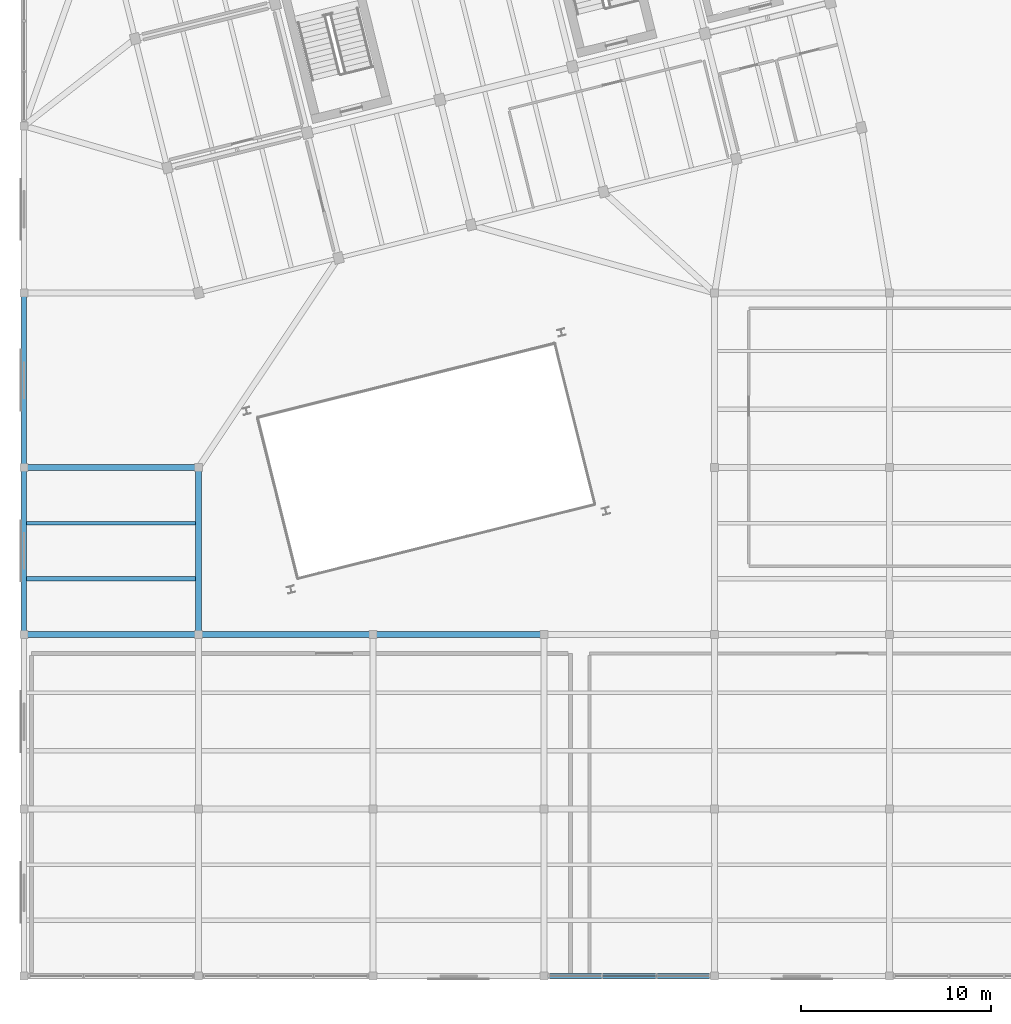
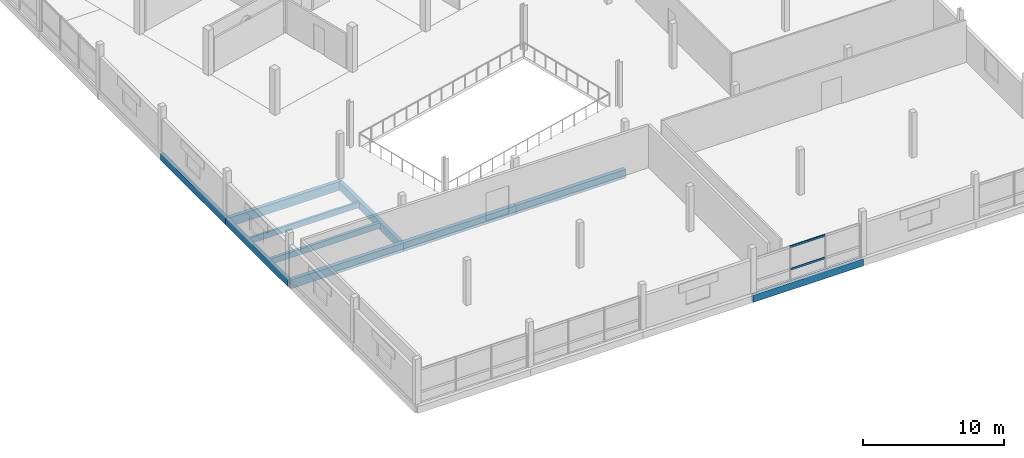
# One storey, part 9 of 47: 10 beams, 2 members, 1 element without a shape of its own.
"""IFC4 building model written with IfcOpenShell, lengths in metres."""

from ifc_helpers import new_model, si_unit, direction, frame, origin, origin_2d, place, context, subcontext, project, spatial, rectangle, hollow_rectangle, extrude, material, layer, layer_set, material_profile, profile_set, type_object, element, aggregate, save


model = new_model("IFC4")

# Units and contexts
model_context = context("Model", 3, precision=1e-05, world=origin(), true_north=direction((0.0, 1.0)))
body_context = subcontext(model_context, "Body", "Model", "MODEL_VIEW")
ifc_project = project(units=[si_unit("LENGTHUNIT", "METRE"), si_unit("AREAUNIT", "SQUARE_METRE"), si_unit("VOLUMEUNIT", "CUBIC_METRE"), si_unit("PLANEANGLEUNIT", "RADIAN"), si_unit("MASSUNIT", "GRAM", prefix="KILO")], contexts=[model_context])

# Site, building, storey
site_placement = place(None, origin())
site = spatial("IfcSite", under=ifc_project, at=site_placement, CompositionType="ELEMENT")
building_placement = place(site_placement, origin())
building = spatial("IfcBuilding", under=site, at=building_placement, Name="Meriwether Solvik Hall", CompositionType="ELEMENT")
storey_placement = place(building_placement, frame((0.0, 0.0, 18.300048828125)))
storey = spatial("IfcBuildingStorey", under=building, at=storey_placement, Name="L04", CompositionType="ELEMENT", Elevation=18.300048828125)

# Beams
ifc_material_1 = material(Name="Glulam Douglas-Fir 24F-V8 GL28h", Category="wood")
ifc_material_profile_1 = material_profile(ifc_material_1, rectangle(XDim=0.27294921875, YDim=0.610107421875, at=origin_2d()), Name="GLB-273X610")
ifc_profile_set_1 = profile_set([ifc_material_profile_1], Name="Glulam Douglas-Fir 24F-V8 GL28h")
beam_type_1 = type_object("IfcBeamType", Name="BM-GL-273X610", PredefinedType="SPANDREL", material=ifc_profile_set_1)
beam_1_placement = place(storey_placement, frame((86.800048828125, 5.199951171875, -0.550048828125), z_axis=(1.0, 0.0, 0.0), x_axis=(0.0, 1.0, 0.0)))
element("IfcBeam", 1, at=beam_1_placement, inside=storey, type_object=beam_type_1, Name="Podium Girder A:10-11 (L04)", PredefinedType="SPANDREL", context=body_context, shape_type="SweptSolid", body=[
    extrude(rectangle(XDim=0.27294921875, YDim=0.610107421875, at=origin_2d()), origin(), (0.0, 0.0, 1.0), 9.0),
])
beam_2_placement = place(storey_placement, frame((59.39990234375, 23.199951171875, -0.550048828125), z_axis=(0.0, 1.0, 0.0), x_axis=(-1.0, 0.0, 0.0)))
element("IfcBeam", 2, at=beam_2_placement, inside=storey, type_object=beam_type_1, Name="Podium Girder 7:C-D (L04)", PredefinedType="SPANDREL", context=body_context, shape_type="SweptSolid", body=[
    extrude(rectangle(XDim=0.27294921875, YDim=0.610107421875, at=origin_2d()), origin(), (0.0, 0.0, 1.0), 8.800048828125),
])
beam_3_placement = place(storey_placement, frame((59.39990234375, 32.0, -0.550048828125), z_axis=(0.0, 1.0, 0.0), x_axis=(-1.0, 0.0, 0.0)))
element("IfcBeam", 3, at=beam_3_placement, inside=storey, type_object=beam_type_1, Name="Podium Girder 7:D-E (L04)", PredefinedType="SPANDREL", context=body_context, shape_type="SweptSolid", body=[
    extrude(rectangle(XDim=0.27294921875, YDim=0.610107421875, at=origin_2d()), origin(), (0.0, 0.0, 1.0), 9.199951171875),
])
ifc_material_2 = material(Name="Glulam Douglas-Fir 24F-V8 GL28h", Category="wood")
ifc_material_profile_2 = material_profile(ifc_material_2, rectangle(XDim=0.31494140625, YDim=0.68505859375, at=origin_2d()), Name="GLB-315X685")
ifc_profile_set_2 = profile_set([ifc_material_profile_2], Name="Glulam Douglas-Fir 24F-V8 GL28h")
beam_type_2 = type_object("IfcBeamType", Name="BM-GL-315X685", PredefinedType="BEAM", material=ifc_profile_set_2)
beam_4_placement = place(storey_placement, frame((68.60009765625, 23.199951171875, -0.587646484375), z_axis=(0.0, 1.0, 0.0), x_axis=(-1.0, 0.0, 0.0)))
element("IfcBeam", 4, at=beam_4_placement, inside=storey, type_object=beam_type_2, Name="Podium Girder 8:C-D (L04)", PredefinedType="BEAM", context=body_context, shape_type="SweptSolid", body=[
    extrude(rectangle(XDim=0.31494140625, YDim=0.68505859375, at=origin_2d()), origin(), (0.0, 0.0, 1.0), 8.800048828125),
])
ifc_material_3 = material(Name="Glulam Douglas-Fir 24F-V8 GL28h", Category="wood")
ifc_material_profile_3 = material_profile(ifc_material_3, rectangle(XDim=0.31494140625, YDim=0.760009765625, at=origin_2d()), Name="GLB-315X760")
ifc_profile_set_3 = profile_set([ifc_material_profile_3], Name="Glulam Douglas-Fir 24F-V8 GL28h")
beam_type_3 = type_object("IfcBeamType", Name="BM-GL-315X760", PredefinedType="BEAM", material=ifc_profile_set_3)
beam_5_placement = place(storey_placement, frame((59.39990234375, 23.199951171875, -0.625), z_axis=(1.0, 0.0, 0.0), x_axis=(0.0, 1.0, 0.0)))
element("IfcBeam", 5, at=beam_5_placement, inside=storey, type_object=beam_type_3, Name="Podium Girder C:7-8 (L04)", PredefinedType="BEAM", context=body_context, shape_type="SweptSolid", body=[
    extrude(rectangle(XDim=0.31494140625, YDim=0.760009765625, at=origin_2d()), origin(), (0.0, 0.0, 1.0), 9.2001953125),
])
beam_6_placement = place(storey_placement, frame((68.60009765625, 23.199951171875, -0.625), z_axis=(1.0, 0.0, 0.0), x_axis=(0.0, 1.0, 0.0)))
element("IfcBeam", 6, at=beam_6_placement, inside=storey, type_object=beam_type_3, Name="Podium Girder C:8-9 (L04)", PredefinedType="BEAM", context=body_context, shape_type="SweptSolid", body=[
    extrude(rectangle(XDim=0.31494140625, YDim=0.760009765625, at=origin_2d()), origin(), (0.0, 0.0, 1.0), 9.199951171875),
])
beam_7_placement = place(storey_placement, frame((77.800048828125, 23.199951171875, -0.625), z_axis=(1.0, 0.0, 0.0), x_axis=(0.0, 1.0, 0.0)))
element("IfcBeam", 7, at=beam_7_placement, inside=storey, type_object=beam_type_3, Name="Podium Girder C:9-10 (L04)", PredefinedType="BEAM", context=body_context, shape_type="SweptSolid", body=[
    extrude(rectangle(XDim=0.31494140625, YDim=0.760009765625, at=origin_2d()), origin(), (0.0, 0.0, 1.0), 9.0),
])
beam_8_placement = place(storey_placement, frame((59.39990234375, 32.0, -0.625), z_axis=(1.0, 0.0, 0.0), x_axis=(0.0, 1.0, 0.0)))
element("IfcBeam", 8, at=beam_8_placement, inside=storey, type_object=beam_type_3, Name="Podium Girder D:7-8 (L04)", PredefinedType="BEAM", context=body_context, shape_type="SweptSolid", body=[
    extrude(rectangle(XDim=0.31494140625, YDim=0.760009765625, at=origin_2d()), origin(), (0.0, 0.0, 1.0), 9.2001953125),
])

# Curtain wall, members
ifc_material_4 = material(Name="Thermally Broken Anodised Aluminium 6063-T6 and Low-E Glass", Category="aluminium")
ifc_layer = layer(ifc_material_4, 0.179931640625)
ifc_layer_set = layer_set([ifc_layer], Name="Thermally Broken Anodised Aluminium 6063-T6 and Low-E Glass")
curtain_wall_type = type_object("IfcCurtainWallType", Name="CW-UNIT-E", PredefinedType="USERDEFINED", material=ifc_layer_set)
curtain_wall_placement = place(storey_placement, origin())
curtain_wall = element("IfcCurtainWall", 9, at=curtain_wall_placement, inside=storey, type_object=curtain_wall_type, Name="Curtain Wall wing_XA_10_3 (L04)", ObjectType="UNITISED CURTAIN WALL", PredefinedType="USERDEFINED")
ifc_material_5 = material(Name="Anodised Aluminium 6063-T6", Category="aluminium")
ifc_material_profile_4 = material_profile(ifc_material_5, hollow_rectangle(XDim=0.074951171875, YDim=0.169921875, WallThickness=0.005615234375, at=origin_2d()), Name="CWT-75X170")
ifc_profile_set_4 = profile_set([ifc_material_profile_4], Name="Anodised Aluminium 6063-T6")
member_type = type_object("IfcMemberType", Name="CW-TRN-75X170", PredefinedType="USERDEFINED", material=ifc_profile_set_4)
member_1_placement = place(storey_placement, frame((92.72607421875, 5.199951171875, 0.8564453125), z_axis=(-1.0, 0.0, 0.0), x_axis=(0.0, -1.0, 0.0)))
member_1 = element("IfcMember", 10, at=member_1_placement, type_object=member_type, Name="Curtain Wall Transom 2-sill", ObjectType="TRANSOM", PredefinedType="USERDEFINED", context=body_context, shape_type="SweptSolid", body=[
    extrude(hollow_rectangle(XDim=0.074951171875, YDim=0.169921875, WallThickness=0.005615234375, at=origin_2d()), origin(), (0.0, 0.0, 1.0), 2.85205078125),
])
member_2_placement = place(storey_placement, frame((92.72607421875, 5.199951171875, 2.794921875), z_axis=(-1.0, 0.0, 0.0), x_axis=(0.0, -1.0, 0.0)))
member_2 = element("IfcMember", 11, at=member_2_placement, type_object=member_type, Name="Curtain Wall Transom 2-head", ObjectType="TRANSOM", PredefinedType="USERDEFINED", context=body_context, shape_type="SweptSolid", body=[
    extrude(hollow_rectangle(XDim=0.074951171875, YDim=0.169921875, WallThickness=0.005615234375, at=origin_2d()), origin(), (0.0, 0.0, 1.0), 2.85205078125),
])
aggregate(curtain_wall, [member_1, member_2])

# Beams
ifc_material_6 = material(Name="Glulam Douglas-Fir 24F-V8 GL28h", Category="wood")
ifc_material_profile_5 = material_profile(ifc_material_6, rectangle(XDim=0.175048828125, YDim=0.4951171875, at=origin_2d()), Name="GLJ-175X495")
ifc_profile_set_5 = profile_set([ifc_material_profile_5], Name="Glulam Douglas-Fir 24F-V8 GL28h")
beam_type_4 = type_object("IfcBeamType", Name="JST-GL-175X495", PredefinedType="JOIST", material=ifc_profile_set_5)
beam_9_placement = place(storey_placement, frame((59.531494140625, 29.066650390625, -0.492431640625), z_axis=(1.0, 0.0, 0.0), x_axis=(0.0, 1.0, 0.0)))
element("IfcBeam", 12, at=beam_9_placement, inside=storey, type_object=beam_type_4, Name="Secondary Floor Joist 7/C_J2 (L04)", PredefinedType="JOIST", context=body_context, shape_type="SweptSolid", body=[
    extrude(rectangle(XDim=0.175048828125, YDim=0.4951171875, at=origin_2d()), origin(), (0.0, 0.0, 1.0), 8.916015625),
])
ifc_material_7 = material(Name="Glulam Douglas-Fir 24F-V8 GL28h", Category="wood")
ifc_material_profile_6 = material_profile(ifc_material_7, rectangle(XDim=0.221923828125, YDim=0.4951171875, at=origin_2d()), Name="GLJ-222X495")
ifc_profile_set_6 = profile_set([ifc_material_profile_6], Name="Glulam Douglas-Fir 24F-V8 GL28h")
beam_type_5 = type_object("IfcBeamType", Name="JST-GL-222X495", PredefinedType="JOIST", material=ifc_profile_set_6)
beam_10_placement = place(storey_placement, frame((59.531494140625, 26.13330078125, -0.492431640625), z_axis=(1.0, 0.0, 0.0), x_axis=(0.0, 1.0, 0.0)))
element("IfcBeam", 13, at=beam_10_placement, inside=storey, type_object=beam_type_5, Name="Secondary Floor Joist 7/C_J1 (L04)", PredefinedType="JOIST", context=body_context, shape_type="SweptSolid", body=[
    extrude(rectangle(XDim=0.221923828125, YDim=0.4951171875, at=origin_2d()), origin(), (0.0, 0.0, 1.0), 8.916015625),
])

save(model, "model.ifc")
